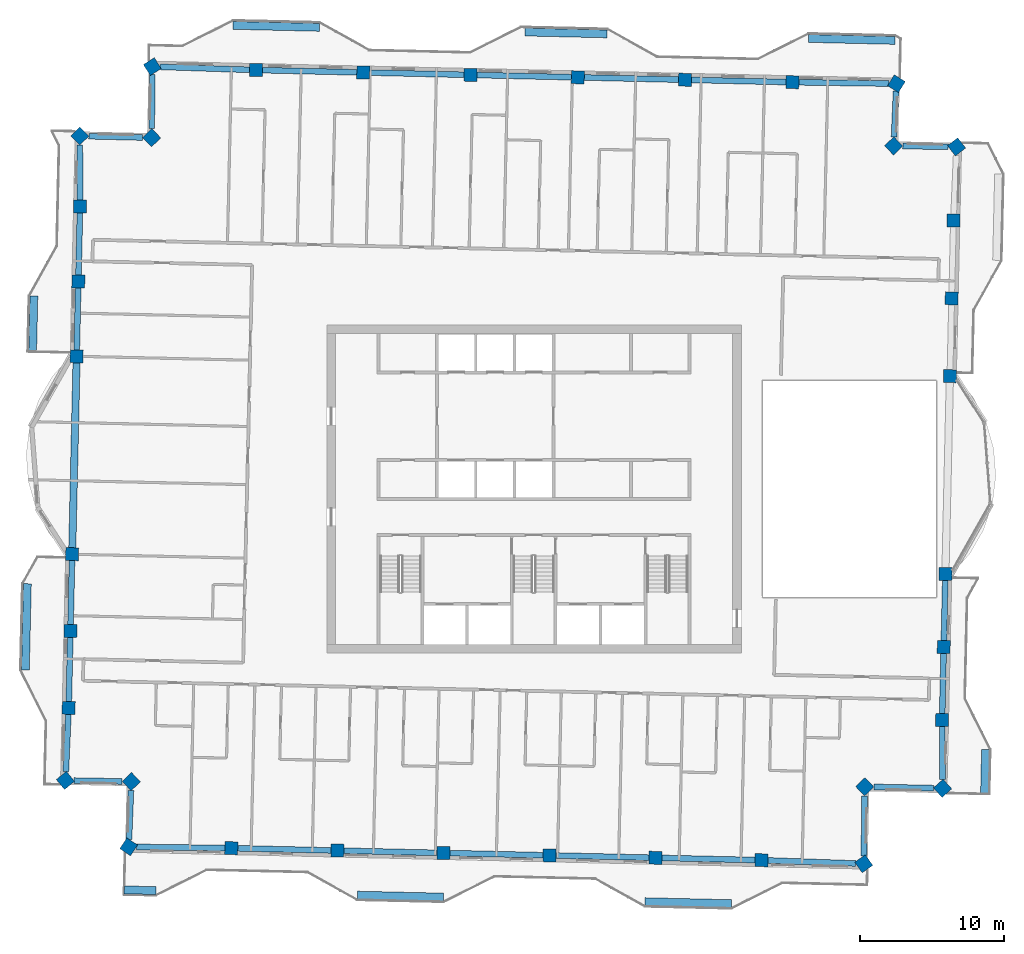
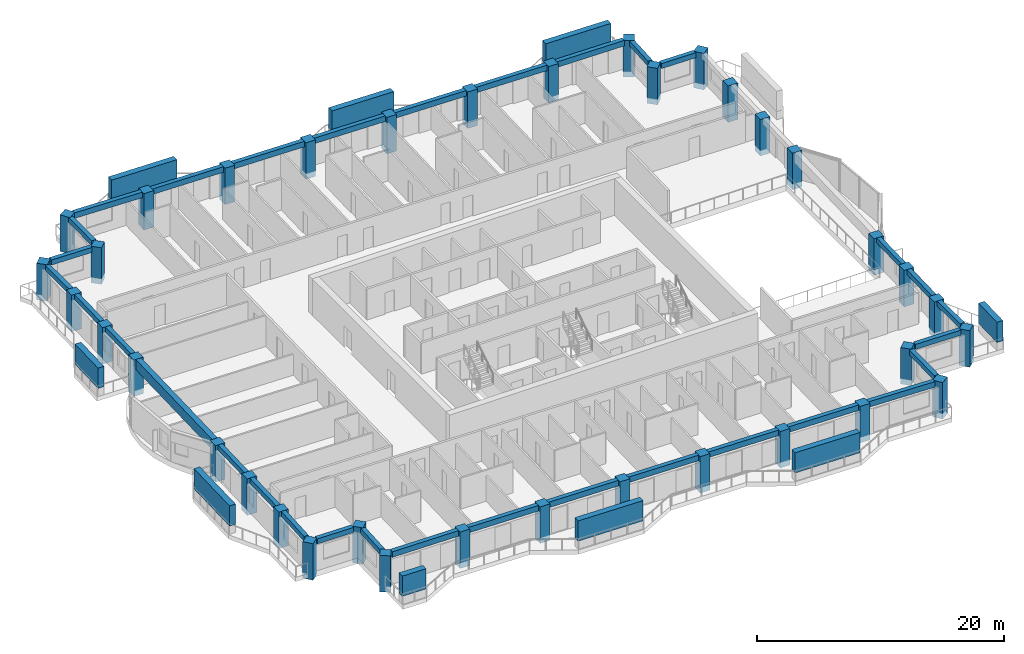
# One storey, part 1 of 15: 36 columns, 32 beams, 9 members.
"""IFC4 building model written with IfcOpenShell, lengths in metres."""

from ifc_helpers import new_model, si_unit, direction, frame, origin, origin_2d, place, context, subcontext, project, spatial, rectangle, extrude, material, material_profile, profile_set, type_object, element, save


model = new_model("IFC4")

# Units and contexts
model_context = context("Model", 3, precision=1e-05, world=origin(), true_north=direction((0.0, 1.0)))
body_context = subcontext(model_context, "Body", "Model", "MODEL_VIEW")
ifc_project = project(units=[si_unit("LENGTHUNIT", "METRE"), si_unit("AREAUNIT", "SQUARE_METRE"), si_unit("VOLUMEUNIT", "CUBIC_METRE"), si_unit("PLANEANGLEUNIT", "RADIAN"), si_unit("MASSUNIT", "GRAM", prefix="KILO")], contexts=[model_context])

# Site, building, storey
site_placement = place(None, origin())
site = spatial("IfcSite", under=ifc_project, at=site_placement, CompositionType="ELEMENT")
building_placement = place(site_placement, origin())
building = spatial("IfcBuilding", under=site, at=building_placement, Name="Mangrove Gate Tower", CompositionType="ELEMENT")
storey_placement = place(building_placement, frame((0.0, 0.0, 309.699951171875)))
storey = spatial("IfcBuildingStorey", under=building, at=storey_placement, Name="L79", CompositionType="ELEMENT", Elevation=309.699951171875)

# Columns
ifc_material_1 = material(Name="Concrete C50/60", Category="concrete")
ifc_material_profile_1 = material_profile(ifc_material_1, rectangle(XDim=0.89990234375, YDim=0.89990234375, at=origin_2d()))
ifc_profile_set_1 = profile_set([ifc_material_profile_1], Name="Concrete C50/60")
column_type = type_object("IfcColumnType", Name="Column RC 900x900 C50/60", PredefinedType="COLUMN", material=ifc_profile_set_1)
for number, where, z_axis, x_axis, name in (
    (1, (-32.09814453125, -4.53515625, -0.550048828125), (0.0, 0.0, 1.0), (-0.022679760793, -0.999742781144, 0.0), "Column L79 W06"),
    (2, (-32.218994140625, -9.875244140625, -0.550048828125), (0.0, 0.0, 1.0), (-0.022653360746, -0.999743379696, 0.0), "Column L79 W07"),
    (3, (-32.340087890625, -15.21533203125, -0.550048828125), (0.0, 0.0, 1.0), (-0.022746921185, -0.999741255314, 0.0), "Column L79 W08"),
    (4, (-32.564453125, -20.25927734375, -0.550048828125), (0.0, 0.0, 1.0), (0.63510539695, -0.772425488164, 0.0), "Column L79 W09"),
    (5, (-27.987548828125, -20.339111328125, -0.550048828125), (0.0, 0.0, 1.0), (0.690863130287, -0.722985570541, 0.0), "Column L79 W10"),
    (6, (-28.170166015625, -24.872802734375, -0.550048828125), (0.0, 0.0, 1.0), (0.836135337265, -0.548523197118, 0.0), "Column L79 S01"),
    (7, (-21.037841796875, -24.966064453125, -0.550048828125), (0.0, 0.0, 1.0), (0.999743338971, -0.022655157973, 0.0), "Column L79 S02"),
    (8, (-13.667724609375, -25.133056640625, -0.550048828125), (0.0, 0.0, 1.0), (0.999743338971, -0.022655157973, 0.0), "Column L79 S03"),
    (9, (-6.298828125, -25.300048828125, -0.550048828125), (0.0, 0.0, 1.0), (0.999743338971, -0.022655157973, 0.0), "Column L79 S04"),
    (10, (1.0712890625, -25.467041015625, -0.550048828125), (0.0, 0.0, 1.0), (0.999741800516, -0.02272294656, 0.0), "Column L79 S05"),
    (11, (8.440185546875, -25.635009765625, -0.550048828125), (0.0, 0.0, 1.0), (0.999741800516, -0.02272294656, 0.0), "Column L79 S06"),
    (12, (15.810302734375, -25.802001953125, -0.550048828125), (0.0, 0.0, 1.0), (0.999743373766, -0.022653622478, 0.0), "Column L79 S07"),
    (13, (22.912353515625, -26.050048828125, -0.550048828125), (0.0, 0.0, 1.0), (0.81992028728, 0.572477704812, 0.0), "Column L79 S08"),
    (14, (22.981201171875, -20.695556640625, -0.550048828125), (0.0, 0.0, 1.0), (0.722965976266, 0.690883635037, 0.0), "Column L79 E01"),
    (15, (28.390380859375, -20.80810546875, -0.550048828125), (0.0, 0.0, 1.0), (0.744004906603, 0.66817415316, 0.0), "Column L79 E02"),
    (16, (28.356201171875, -16.058837890625, -0.550048828125), (0.0, 0.0, 1.0), (0.022660985877, 0.999743206888, 0.0), "Column L79 E03"),
    (17, (28.47119140625, -10.98583984375, -0.550048828125), (0.0, 0.0, 1.0), (0.022660985877, 0.999743206888, 0.0), "Column L79 E04"),
    (18, (28.586181640625, -5.911865234375, -0.550048828125), (0.0, 0.0, 1.0), (0.022681592917, 0.99974273958, 0.0), "Column L79 E05"),
    (19, (28.898193359375, 7.835205078125, -0.550048828125), (0.0, 0.0, 1.0), (0.022704799818, 0.999742212805, 0.0), "Column L79 E06"),
    (20, (29.02099609375, 13.2421875, -0.550048828125), (0.0, 0.0, 1.0), (0.022652104431, 0.999743408163, 0.0), "Column L79 E07"),
    (21, (29.14306640625, 18.648193359375, -0.550048828125), (0.0, 0.0, 1.0), (0.022652104431, 0.999743408163, 0.0), "Column L79 E08"),
    (22, (29.360595703125, 23.76904296875, -0.550048828125), (0.0, 0.0, 1.0), (-0.613294984085, 0.789853950104, 0.0), "Column L79 E09"),
    (23, (24.99169921875, 23.834228515625, -0.550048828125), (0.0, 0.0, 1.0), (-0.690854032309, 0.722994264183, 0.0), "Column L79 E10"),
    (24, (25.1796875, 28.16162109375, -0.550048828125), (0.0, 0.0, 1.0), (-0.849493800932, 0.527598599484, 0.0), "Column L79 N01"),
    (25, (17.951904296875, 28.26318359375, -0.550048828125), (0.0, 0.0, 1.0), (-0.999743149141, 0.022663533403, 0.0), "Column L79 N02"),
    (26, (10.496826171875, 28.43212890625, -0.550048828125), (0.0, 0.0, 1.0), (-0.999741662484, 0.022729018737, 0.0), "Column L79 N03"),
    (27, (3.040771484375, 28.60205078125, -0.550048828125), (0.0, 0.0, 1.0), (-0.999741662484, 0.022729018737, 0.0), "Column L79 N04"),
    (28, (-4.414306640625, 28.77099609375, -0.550048828125), (0.0, 0.0, 1.0), (-0.999743149141, 0.022663533403, 0.0), "Column L79 N05"),
    (29, (-11.869140625, 28.940185546875, -0.550048828125), (0.0, 0.0, 1.0), (-0.999743149141, 0.022663533403, 0.0), "Column L79 N06"),
    (30, (-19.32421875, 29.109130859375, -0.550048828125), (0.0, 0.0, 1.0), (-0.999743149141, 0.022663533403, 0.0), "Column L79 N07"),
    (31, (-26.52685546875, 29.3486328125, -0.550048828125), (0.0, 0.0, 1.0), (-0.843037190886, -0.537855273082, 0.0), "Column L79 N08"),
    (32, (-26.572021484375, 24.404541015625, -0.550048828125), (0.0, 0.0, 1.0), (-0.723044060513, -0.690801915571, 0.0), "Column L79 W01"),
    (33, (-31.564453125, 24.524169921875, -0.550048828125), (0.0, 0.0, 1.0), (-0.708697722555, -0.70551225223, 0.0), "Column L79 W02"),
    (34, (-31.550048828125, 19.625732421875, -0.550048828125), (0.0, 0.0, 1.0), (-0.022655978068, -0.999743320387, 0.0), "Column L79 W03"),
    (35, (-31.668212890625, 14.418701171875, -0.550048828125), (0.0, 0.0, 1.0), (-0.022655978068, -0.999743320387, 0.0), "Column L79 W04"),
    (36, (-31.7861328125, 9.2119140625, -0.550048828125), (0.0, 0.0, 1.0), (-0.022680668131, -0.999742760561, 0.0), "Column L79 W05"),
):
    element("IfcColumn", number, at=place(storey_placement, frame(where, z_axis=z_axis, x_axis=x_axis)), inside=storey, type_object=column_type, Name=name, PredefinedType="COLUMN", context=body_context, shape_type="SweptSolid", body=[
        extrude(rectangle(XDim=0.89990234375, YDim=0.89990234375, at=origin_2d()), origin(), (0.0, 0.0, 1.0), 3.60009765625),
    ])

# Members
ifc_material_2 = material(Name="Planting on aluminium trellis", Category="aluminium")
ifc_material_profile_2 = material_profile(ifc_material_2, rectangle(XDim=0.550048828125, YDim=2.0, at=origin_2d()))
ifc_profile_set_2 = profile_set([ifc_material_profile_2], Name="Planting on aluminium trellis")
member_type = type_object("IfcMemberType", Name="Balcony greenery screen 550x2000", PredefinedType="USERDEFINED", material=ifc_profile_set_2)
member_1_placement = place(storey_placement, frame((31.304931640625, -21.202880859375, 1.800048828125), z_axis=(0.022597992408, 0.999744632763, 0.0), x_axis=(-0.999744632763, 0.022597992408, 0.0)))
element("IfcMember", 37, at=member_1_placement, inside=storey, type_object=member_type, Name="GREEN SCREEN L79 E0.1", ObjectType="PLANTING", PredefinedType="USERDEFINED", context=body_context, shape_type="SweptSolid", body=[
    extrude(rectangle(XDim=0.550048828125, YDim=2.0, at=origin_2d()), origin(), (0.0, 0.0, 1.0), 3.1005859375),
])
member_2_placement = place(storey_placement, frame((-0.616943359375, 31.75, 1.800048828125), z_axis=(0.999744284001, -0.022613416525, 0.0), x_axis=(0.022613416525, 0.999744284001, 0.0)))
element("IfcMember", 38, at=member_2_placement, inside=storey, type_object=member_type, Name="GREEN SCREEN L79 N0.1", ObjectType="PLANTING", PredefinedType="USERDEFINED", context=body_context, shape_type="SweptSolid", body=[
    extrude(rectangle(XDim=0.550048828125, YDim=2.0, at=origin_2d()), origin(), (0.0, 0.0, 1.0), 5.700439453125),
])
member_3_placement = place(storey_placement, frame((19.077880859375, 31.302978515625, 1.800048828125), z_axis=(0.999743178102, -0.022662255828, 0.0), x_axis=(0.022662255828, 0.999743178102, 0.0)))
element("IfcMember", 39, at=member_3_placement, inside=storey, type_object=member_type, Name="GREEN SCREEN L79 N0.2", ObjectType="PLANTING", PredefinedType="USERDEFINED", context=body_context, shape_type="SweptSolid", body=[
    extrude(rectangle(XDim=0.550048828125, YDim=2.0, at=origin_2d()), origin(), (0.0, 0.0, 1.0), 6.00048828125),
])
member_4_placement = place(storey_placement, frame((-20.910888671875, 32.2109375, 1.800048828125), z_axis=(0.999743073592, -0.022666865795, 0.0), x_axis=(0.022666865795, 0.999743073592, 0.0)))
element("IfcMember", 40, at=member_4_placement, inside=storey, type_object=member_type, Name="GREEN SCREEN L79 N1.1", ObjectType="PLANTING", PredefinedType="USERDEFINED", context=body_context, shape_type="SweptSolid", body=[
    extrude(rectangle(XDim=0.550048828125, YDim=2.0, at=origin_2d()), origin(), (0.0, 0.0, 1.0), 5.999267578125),
])
member_5_placement = place(storey_placement, frame((-34.844970703125, 9.531982421875, 1.800048828125), z_axis=(0.022681332769, 0.999742745482, 0.0), x_axis=(-0.999742745482, 0.022681332769, 0.0)))
element("IfcMember", 41, at=member_5_placement, inside=storey, type_object=member_type, Name="GREEN SCREEN L79 W0.1", ObjectType="PLANTING", PredefinedType="USERDEFINED", context=body_context, shape_type="SweptSolid", body=[
    extrude(rectangle(XDim=0.550048828125, YDim=2.0, at=origin_2d()), origin(), (0.0, 0.0, 1.0), 3.875),
])
member_6_placement = place(storey_placement, frame((-35.346923828125, -12.587890625, 1.800048828125), z_axis=(0.022663177671, 0.999743157205, 0.0), x_axis=(-0.999743157205, 0.022663177671, 0.0)))
element("IfcMember", 42, at=member_6_placement, inside=storey, type_object=member_type, Name="GREEN SCREEN L79 W1.1", ObjectType="PLANTING", PredefinedType="USERDEFINED", context=body_context, shape_type="SweptSolid", body=[
    extrude(rectangle(XDim=0.550048828125, YDim=2.0, at=origin_2d()), origin(), (0.0, 0.0, 1.0), 6.000244140625),
])
member_7_placement = place(storey_placement, frame((-28.47705078125, -27.863037109375, 1.800048828125), z_axis=(0.999741319789, -0.022744087289, 0.0), x_axis=(0.022744087289, 0.999741319789, 0.0)))
element("IfcMember", 43, at=member_7_placement, inside=storey, type_object=member_type, Name="GREEN SCREEN L79 S0.1", ObjectType="PLANTING", PredefinedType="USERDEFINED", context=body_context, shape_type="SweptSolid", body=[
    extrude(rectangle(XDim=0.550048828125, YDim=2.0, at=origin_2d()), origin(), (0.0, 0.0, 1.0), 2.200439453125),
])
member_8_placement = place(storey_placement, frame((-12.281005859375, -28.22998046875, 1.800048828125), z_axis=(0.999743178102, -0.022662255828, 0.0), x_axis=(0.022662255828, 0.999743178102, 0.0)))
element("IfcMember", 44, at=member_8_placement, inside=storey, type_object=member_type, Name="GREEN SCREEN L79 S0.2", ObjectType="PLANTING", PredefinedType="USERDEFINED", context=body_context, shape_type="SweptSolid", body=[
    extrude(rectangle(XDim=0.550048828125, YDim=2.0, at=origin_2d()), origin(), (0.0, 0.0, 1.0), 6.00048828125),
])
member_9_placement = place(storey_placement, frame((7.714111328125, -28.68408203125, 1.800048828125), z_axis=(0.999743073592, -0.022666865795, 0.0), x_axis=(0.022666865795, 0.999743073592, 0.0)))
element("IfcMember", 45, at=member_9_placement, inside=storey, type_object=member_type, Name="GREEN SCREEN L79 S1.1", ObjectType="PLANTING", PredefinedType="USERDEFINED", context=body_context, shape_type="SweptSolid", body=[
    extrude(rectangle(XDim=0.550048828125, YDim=2.0, at=origin_2d()), origin(), (0.0, 0.0, 1.0), 5.999267578125),
])

# Beams
ifc_material_3 = material(Name="Concrete C50/60", Category="concrete")
ifc_material_profile_3 = material_profile(ifc_material_3, rectangle(XDim=0.39990234375, YDim=0.5, at=origin_2d()))
ifc_profile_set_3 = profile_set([ifc_material_profile_3], Name="Concrete C50/60")
beam_type_1 = type_object("IfcBeamType", Name="Edge beam RC 400x500 C50/60", PredefinedType="BEAM", material=ifc_profile_set_3)
for number, where, z_axis, x_axis, name in (
    (46, (-32.1083984375, -4.985107421875, 2.800048828125), (-0.022647733269, -0.999743507195, 0.0), (0.999743507195, -0.022647733269, 0.0), "Edge beam L79 00"),
    (47, (-32.229248046875, -10.3251953125, 2.800048828125), (-0.022647733269, -0.999743507195, 0.0), (0.999743507195, -0.022647733269, 0.0), "Edge beam L79 01"),
):
    element("IfcBeam", number, at=place(storey_placement, frame(where, z_axis=z_axis, x_axis=x_axis)), inside=storey, type_object=beam_type_1, Name=name, PredefinedType="BEAM", context=body_context, shape_type="SweptSolid", body=[
        extrude(rectangle(XDim=0.39990234375, YDim=0.5, at=origin_2d()), origin(), (0.0, 0.0, 1.0), 4.44140625),
    ])
beam_1_placement = place(storey_placement, frame((-32.360107421875, -15.664794921875, 2.800048828125), z_axis=(-0.044442643411, -0.99901193759, 0.0), x_axis=(0.99901193759, -0.044442643411, 0.0)))
element("IfcBeam", 48, at=beam_1_placement, inside=storey, type_object=beam_type_1, Name="Edge beam L79 02", PredefinedType="BEAM", context=body_context, shape_type="SweptSolid", body=[
    extrude(rectangle(XDim=0.39990234375, YDim=0.5, at=origin_2d()), origin(), (0.0, 0.0, 1.0), 3.99365234375),
])
beam_2_placement = place(storey_placement, frame((-31.973388671875, -20.26953125, 2.800048828125), z_axis=(0.99984732702, -0.017473484198, 0.0), x_axis=(0.017473484198, 0.99984732702, 0.0)))
element("IfcBeam", 49, at=beam_2_placement, inside=storey, type_object=beam_type_1, Name="Edge beam L79 03", PredefinedType="BEAM", context=body_context, shape_type="SweptSolid", body=[
    extrude(rectangle(XDim=0.39990234375, YDim=0.5, at=origin_2d()), origin(), (0.0, 0.0, 1.0), 3.353271484375),
])
beam_3_placement = place(storey_placement, frame((-28.012939453125, -20.964111328125, 2.800048828125), z_axis=(-0.04022135788, -0.999190793778, 0.0), x_axis=(0.999190793778, -0.04022135788, 0.0)))
element("IfcBeam", 50, at=beam_3_placement, inside=storey, type_object=beam_type_1, Name="Edge beam L79 04", PredefinedType="BEAM", context=body_context, shape_type="SweptSolid", body=[
    extrude(rectangle(XDim=0.39990234375, YDim=0.5, at=origin_2d()), origin(), (0.0, 0.0, 1.0), 3.386962890625),
])
beam_4_placement = place(storey_placement, frame((22.91943359375, -25.496337890625, 2.800048828125), z_axis=(0.012819459325, 0.999917827355, 0.0), x_axis=(-0.999917827355, 0.012819459325, 0.0)))
element("IfcBeam", 51, at=beam_4_placement, inside=storey, type_object=beam_type_1, Name="Edge beam L79 12", PredefinedType="BEAM", context=body_context, shape_type="SweptSolid", body=[
    extrude(rectangle(XDim=0.39990234375, YDim=0.5, at=origin_2d()), origin(), (0.0, 0.0, 1.0), 4.170654296875),
])
beam_5_placement = place(storey_placement, frame((23.6162109375, -20.708984375, 2.800048828125), z_axis=(0.99978402349, -0.02078235727, 0.0), x_axis=(0.02078235727, 0.99978402349, 0.0)))
element("IfcBeam", 52, at=beam_5_placement, inside=storey, type_object=beam_type_1, Name="Edge beam L79 13", PredefinedType="BEAM", context=body_context, shape_type="SweptSolid", body=[
    extrude(rectangle(XDim=0.39990234375, YDim=0.5, at=origin_2d()), origin(), (0.0, 0.0, 1.0), 4.15869140625),
])
beam_6_placement = place(storey_placement, frame((28.385986328125, -20.207275390625, 2.800048828125), z_axis=(-0.007195483115, 0.999974112176, 0.0), x_axis=(-0.999974112176, -0.007195483115, 0.0)))
element("IfcBeam", 53, at=beam_6_placement, inside=storey, type_object=beam_type_1, Name="Edge beam L79 14", PredefinedType="BEAM", context=body_context, shape_type="SweptSolid", body=[
    extrude(rectangle(XDim=0.39990234375, YDim=0.5, at=origin_2d()), origin(), (0.0, 0.0, 1.0), 3.6982421875),
])
beam_7_placement = place(storey_placement, frame((28.3662109375, -15.60888671875, 2.800048828125), z_axis=(0.022693504831, 0.999742469258, 0.0), x_axis=(-0.999742469258, 0.022693504831, 0.0)))
element("IfcBeam", 54, at=beam_7_placement, inside=storey, type_object=beam_type_1, Name="Edge beam L79 15", PredefinedType="BEAM", context=body_context, shape_type="SweptSolid", body=[
    extrude(rectangle(XDim=0.39990234375, YDim=0.5, at=origin_2d()), origin(), (0.0, 0.0, 1.0), 4.174072265625),
])
beam_8_placement = place(storey_placement, frame((28.481201171875, -10.535888671875, 2.800048828125), z_axis=(0.022686871943, 0.999742619798, 0.0), x_axis=(-0.999742619798, 0.022686871943, 0.0)))
element("IfcBeam", 55, at=beam_8_placement, inside=storey, type_object=beam_type_1, Name="Edge beam L79 16", PredefinedType="BEAM", context=body_context, shape_type="SweptSolid", body=[
    extrude(rectangle(XDim=0.39990234375, YDim=0.5, at=origin_2d()), origin(), (0.0, 0.0, 1.0), 4.17529296875),
])
beam_9_placement = place(storey_placement, frame((28.7841796875, 23.777587890625, 2.800048828125), z_axis=(-0.999888927415, 0.014904121331, 0.0), x_axis=(-0.014904121331, -0.999888927415, 0.0)))
element("IfcBeam", 56, at=beam_9_placement, inside=storey, type_object=beam_type_1, Name="Edge beam L79 21", PredefinedType="BEAM", context=body_context, shape_type="SweptSolid", body=[
    extrude(rectangle(XDim=0.39990234375, YDim=0.5, at=origin_2d()), origin(), (0.0, 0.0, 1.0), 3.161376953125),
])
beam_10_placement = place(storey_placement, frame((25.018798828125, 24.457275390625, 2.800048828125), z_axis=(0.043370835095, 0.999059042631, 0.0), x_axis=(-0.999059042631, 0.043370835095, 0.0)))
element("IfcBeam", 57, at=beam_10_placement, inside=storey, type_object=beam_type_1, Name="Edge beam L79 22", PredefinedType="BEAM", context=body_context, shape_type="SweptSolid", body=[
    extrude(rectangle(XDim=0.39990234375, YDim=0.5, at=origin_2d()), origin(), (0.0, 0.0, 1.0), 3.191650390625),
])
beam_11_placement = place(storey_placement, frame((-26.531982421875, 28.811767578125, 2.800048828125), z_axis=(-0.00910814931, -0.999958519948, 0.0), x_axis=(0.999958519948, -0.00910814931, 0.0)))
element("IfcBeam", 58, at=beam_11_placement, inside=storey, type_object=beam_type_1, Name="Edge beam L79 30", PredefinedType="BEAM", context=body_context, shape_type="SweptSolid", body=[
    extrude(rectangle(XDim=0.39990234375, YDim=0.5, at=origin_2d()), origin(), (0.0, 0.0, 1.0), 3.779541015625),
])
beam_12_placement = place(storey_placement, frame((-27.20751953125, 24.419921875, 2.800048828125), z_axis=(-0.999713815078, 0.023922540459, 0.0), x_axis=(-0.023922540459, -0.999713815078, 0.0)))
element("IfcBeam", 59, at=beam_12_placement, inside=storey, type_object=beam_type_1, Name="Edge beam L79 31", PredefinedType="BEAM", context=body_context, shape_type="SweptSolid", body=[
    extrude(rectangle(XDim=0.39990234375, YDim=0.5, at=origin_2d()), origin(), (0.0, 0.0, 1.0), 3.735107421875),
])
beam_13_placement = place(storey_placement, frame((-31.562744140625, 23.890869140625, 2.800048828125), z_axis=(0.002943798841, -0.999995667015, 0.0), x_axis=(0.999995667015, 0.002943798841, 0.0)))
element("IfcBeam", 60, at=beam_13_placement, inside=storey, type_object=beam_type_1, Name="Edge beam L79 32", PredefinedType="BEAM", context=body_context, shape_type="SweptSolid", body=[
    extrude(rectangle(XDim=0.39990234375, YDim=0.5, at=origin_2d()), origin(), (0.0, 0.0, 1.0), 3.81494140625),
])
for number, where, z_axis, x_axis, name in (
    (61, (-31.560302734375, 19.176025390625, 2.800048828125), (-0.02266605661, -0.999743091938, 0.0), (0.999743091938, -0.02266605661, 0.0), "Edge beam L79 33"),
    (62, (-31.67822265625, 13.968994140625, 2.800048828125), (-0.02266605661, -0.999743091938, 0.0), (0.999743091938, -0.02266605661, 0.0), "Edge beam L79 34"),
):
    element("IfcBeam", number, at=place(storey_placement, frame(where, z_axis=z_axis, x_axis=x_axis)), inside=storey, type_object=beam_type_1, Name=name, PredefinedType="BEAM", context=body_context, shape_type="SweptSolid", body=[
        extrude(rectangle(XDim=0.39990234375, YDim=0.5, at=origin_2d()), origin(), (0.0, 0.0, 1.0), 4.30859375),
    ])
ifc_material_4 = material(Name="Concrete C50/60", Category="concrete")
ifc_material_profile_4 = material_profile(ifc_material_4, rectangle(XDim=0.39990234375, YDim=0.550048828125, at=origin_2d()))
ifc_profile_set_4 = profile_set([ifc_material_profile_4], Name="Concrete C50/60")
beam_type_2 = type_object("IfcBeamType", Name="Edge beam RC 400x550 C50/60", PredefinedType="BEAM", material=ifc_profile_set_4)
beam_14_placement = place(storey_placement, frame((-27.636474609375, -24.879638671875, 2.775146484375), z_axis=(0.999914166256, -0.01310191284, 0.0), x_axis=(0.01310191284, 0.999914166256, 0.0)))
element("IfcBeam", 63, at=beam_14_placement, inside=storey, type_object=beam_type_2, Name="Edge beam L79 05", PredefinedType="BEAM", context=body_context, shape_type="SweptSolid", body=[
    extrude(rectangle(XDim=0.39990234375, YDim=0.550048828125, at=origin_2d()), origin(), (0.0, 0.0, 1.0), 6.149169921875),
])
beam_15_placement = place(storey_placement, frame((-20.587890625, -24.976318359375, 2.775146484375), z_axis=(0.999743818188, -0.022634000865, 0.0), x_axis=(0.022634000865, 0.999743818188, 0.0)))
element("IfcBeam", 64, at=beam_15_placement, inside=storey, type_object=beam_type_2, Name="Edge beam L79 06", PredefinedType="BEAM", context=body_context, shape_type="SweptSolid", body=[
    extrude(rectangle(XDim=0.39990234375, YDim=0.550048828125, at=origin_2d()), origin(), (0.0, 0.0, 1.0), 6.471923828125),
])
beam_16_placement = place(storey_placement, frame((-13.218017578125, -25.143310546875, 2.775146484375), z_axis=(0.999742886289, -0.022675125468, 0.0), x_axis=(0.022675125468, 0.999742886289, 0.0)))
element("IfcBeam", 65, at=beam_16_placement, inside=storey, type_object=beam_type_2, Name="Edge beam L79 07", PredefinedType="BEAM", context=body_context, shape_type="SweptSolid", body=[
    extrude(rectangle(XDim=0.39990234375, YDim=0.550048828125, at=origin_2d()), origin(), (0.0, 0.0, 1.0), 6.470947265625),
])
beam_17_placement = place(storey_placement, frame((-5.848876953125, -25.310302734375, 2.775146484375), z_axis=(0.999742963866, -0.022671704825, 0.0), x_axis=(0.022671704825, 0.999742963866, 0.0)))
element("IfcBeam", 66, at=beam_17_placement, inside=storey, type_object=beam_type_2, Name="Edge beam L79 08", PredefinedType="BEAM", context=body_context, shape_type="SweptSolid", body=[
    extrude(rectangle(XDim=0.39990234375, YDim=0.550048828125, at=origin_2d()), origin(), (0.0, 0.0, 1.0), 6.471923828125),
])
beam_18_placement = place(storey_placement, frame((1.52099609375, -25.477294921875, 2.775146484375), z_axis=(0.999740314026, -0.022788253818, 0.0), x_axis=(0.022788253818, 0.999740314026, 0.0)))
element("IfcBeam", 67, at=beam_18_placement, inside=storey, type_object=beam_type_2, Name="Edge beam L79 09", PredefinedType="BEAM", context=body_context, shape_type="SweptSolid", body=[
    extrude(rectangle(XDim=0.39990234375, YDim=0.550048828125, at=origin_2d()), origin(), (0.0, 0.0, 1.0), 6.470947265625),
])
beam_19_placement = place(storey_placement, frame((8.89013671875, -25.645263671875, 2.775146484375), z_axis=(0.999742963866, -0.022671704825, 0.0), x_axis=(0.022671704825, 0.999742963866, 0.0)))
element("IfcBeam", 68, at=beam_19_placement, inside=storey, type_object=beam_type_2, Name="Edge beam L79 10", PredefinedType="BEAM", context=body_context, shape_type="SweptSolid", body=[
    extrude(rectangle(XDim=0.39990234375, YDim=0.550048828125, at=origin_2d()), origin(), (0.0, 0.0, 1.0), 6.471923828125),
])
beam_20_placement = place(storey_placement, frame((16.260009765625, -25.81787109375, 2.775146484375), z_axis=(0.999390915995, -0.034896948678, 0.0), x_axis=(0.034896948678, 0.999390915995, 0.0)))
element("IfcBeam", 69, at=beam_20_placement, inside=storey, type_object=beam_type_2, Name="Edge beam L79 11", PredefinedType="BEAM", context=body_context, shape_type="SweptSolid", body=[
    extrude(rectangle(XDim=0.39990234375, YDim=0.550048828125, at=origin_2d()), origin(), (0.0, 0.0, 1.0), 6.093505859375),
])
beam_21_placement = place(storey_placement, frame((24.654541015625, 28.169189453125, 2.775146484375), z_axis=(-0.999901770522, 0.014016037469, 0.0), x_axis=(-0.014016037469, -0.999901770522, 0.0)))
element("IfcBeam", 70, at=beam_21_placement, inside=storey, type_object=beam_type_2, Name="Edge beam L79 23", PredefinedType="BEAM", context=body_context, shape_type="SweptSolid", body=[
    extrude(rectangle(XDim=0.39990234375, YDim=0.550048828125, at=origin_2d()), origin(), (0.0, 0.0, 1.0), 6.25341796875),
])
beam_22_placement = place(storey_placement, frame((17.501953125, 28.273193359375, 2.775146484375), z_axis=(-0.999742872527, 0.022675732193, 0.0), x_axis=(-0.022675732193, -0.999742872527, 0.0)))
element("IfcBeam", 71, at=beam_22_placement, inside=storey, type_object=beam_type_2, Name="Edge beam L79 24", PredefinedType="BEAM", context=body_context, shape_type="SweptSolid", body=[
    extrude(rectangle(XDim=0.39990234375, YDim=0.550048828125, at=origin_2d()), origin(), (0.0, 0.0, 1.0), 6.556884765625),
])
beam_23_placement = place(storey_placement, frame((10.046875, 28.4423828125, 2.775146484375), z_axis=(-0.999740411322, 0.022783984946, 0.0), x_axis=(-0.022783984946, -0.999740411322, 0.0)))
element("IfcBeam", 72, at=beam_23_placement, inside=storey, type_object=beam_type_2, Name="Edge beam L79 25", PredefinedType="BEAM", context=body_context, shape_type="SweptSolid", body=[
    extrude(rectangle(XDim=0.39990234375, YDim=0.550048828125, at=origin_2d()), origin(), (0.0, 0.0, 1.0), 6.557861328125),
])
beam_24_placement = place(storey_placement, frame((2.5908203125, 28.6123046875, 2.775146484375), z_axis=(-0.999742872527, 0.022675732193, 0.0), x_axis=(-0.022675732193, -0.999742872527, 0.0)))
element("IfcBeam", 73, at=beam_24_placement, inside=storey, type_object=beam_type_2, Name="Edge beam L79 26", PredefinedType="BEAM", context=body_context, shape_type="SweptSolid", body=[
    extrude(rectangle(XDim=0.39990234375, YDim=0.550048828125, at=origin_2d()), origin(), (0.0, 0.0, 1.0), 6.556884765625),
])
beam_25_placement = place(storey_placement, frame((-4.864013671875, 28.78125, 2.775146484375), z_axis=(-0.999742891672, 0.022674888124, 0.0), x_axis=(-0.022674888124, -0.999742891672, 0.0)))
element("IfcBeam", 74, at=beam_25_placement, inside=storey, type_object=beam_type_2, Name="Edge beam L79 27", PredefinedType="BEAM", context=body_context, shape_type="SweptSolid", body=[
    extrude(rectangle(XDim=0.39990234375, YDim=0.550048828125, at=origin_2d()), origin(), (0.0, 0.0, 1.0), 6.55712890625),
])
beam_26_placement = place(storey_placement, frame((-12.319091796875, 28.9501953125, 2.775146484375), z_axis=(-0.999742872527, 0.022675732193, 0.0), x_axis=(-0.022675732193, -0.999742872527, 0.0)))
element("IfcBeam", 75, at=beam_26_placement, inside=storey, type_object=beam_type_2, Name="Edge beam L79 28", PredefinedType="BEAM", context=body_context, shape_type="SweptSolid", body=[
    extrude(rectangle(XDim=0.39990234375, YDim=0.550048828125, at=origin_2d()), origin(), (0.0, 0.0, 1.0), 6.556884765625),
])
beam_27_placement = place(storey_placement, frame((-19.77392578125, 29.1240234375, 2.775146484375), z_axis=(-0.999446955482, 0.033253318297, 0.0), x_axis=(-0.033253318297, -0.999446955482, 0.0)))
element("IfcBeam", 76, at=beam_27_placement, inside=storey, type_object=beam_type_2, Name="Edge beam L79 29", PredefinedType="BEAM", context=body_context, shape_type="SweptSolid", body=[
    extrude(rectangle(XDim=0.39990234375, YDim=0.550048828125, at=origin_2d()), origin(), (0.0, 0.0, 1.0), 6.211181640625),
])
ifc_material_5 = material(Name="Concrete C50/60", Category="concrete")
ifc_material_profile_5 = material_profile(ifc_material_5, rectangle(XDim=0.5, YDim=1.0, at=origin_2d()))
ifc_profile_set_5 = profile_set([ifc_material_profile_5], Name="Concrete C50/60")
beam_type_3 = type_object("IfcBeamType", Name="Edge beam RC 500x1000 C50/60", PredefinedType="BEAM", material=ifc_profile_set_5)
beam_28_placement = place(storey_placement, frame((-31.79638671875, 8.761962890625, 2.550048828125), z_axis=(-0.022684290942, -0.999742678365, 0.0), x_axis=(0.999742678365, -0.022684290942, 0.0)))
element("IfcBeam", 77, at=beam_28_placement, inside=storey, type_object=beam_type_3, Name="Edge beam L79 35", PredefinedType="BEAM", context=body_context, shape_type="SweptSolid", body=[
    extrude(rectangle(XDim=0.5, YDim=1.0, at=origin_2d()), origin(), (0.0, 0.0, 1.0), 12.8505859375),
])

save(model, "model.ifc")
